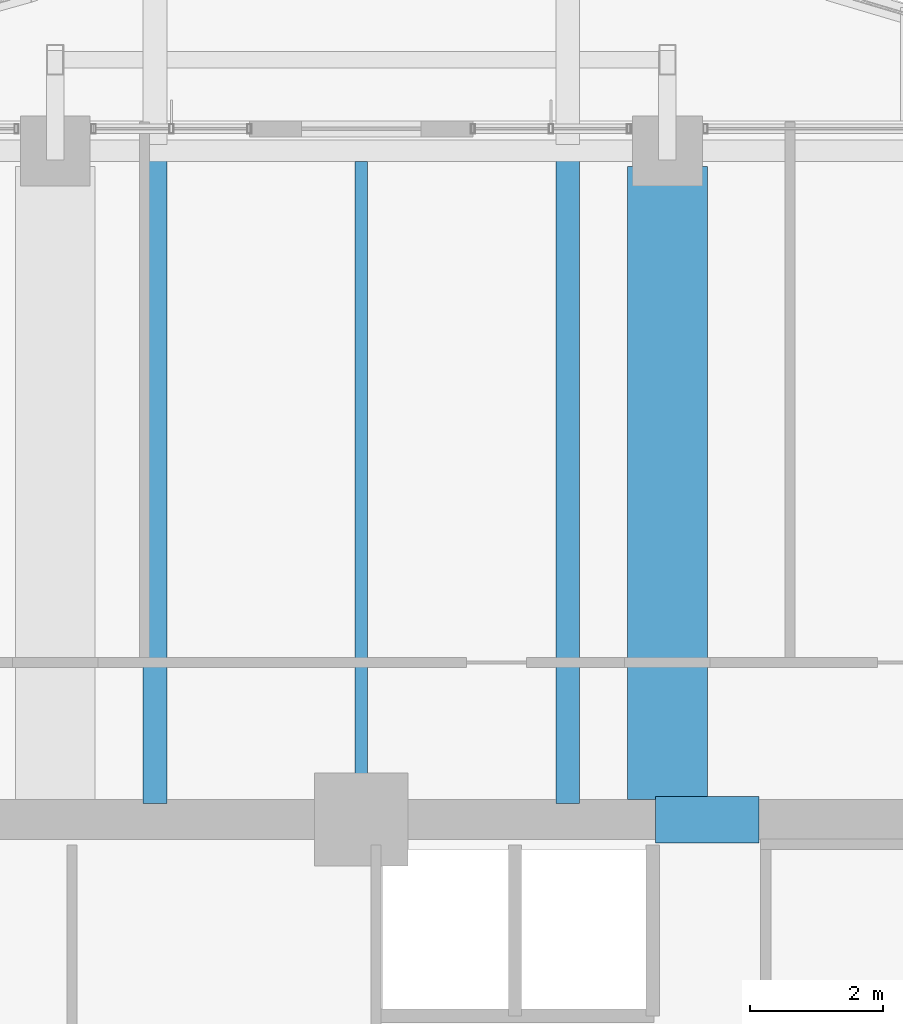
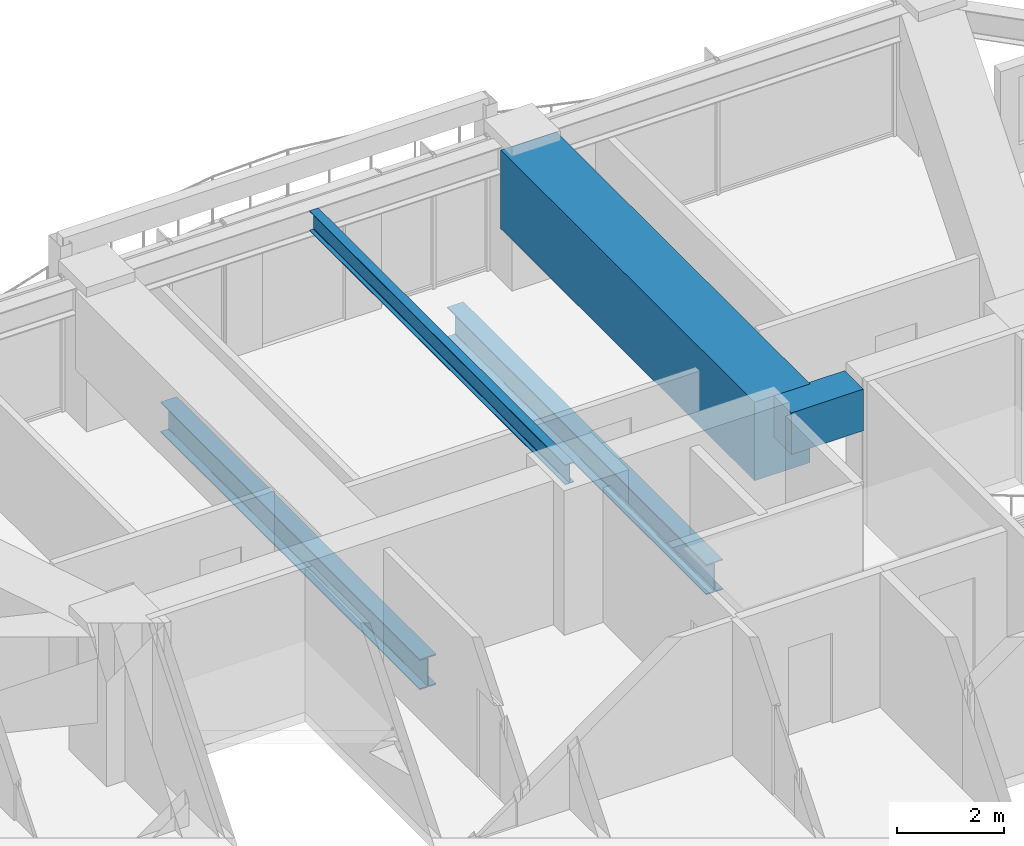
# One storey, part 22 of 39: 5 beams.
"""IFC4 building model written with IfcOpenShell, lengths in metres."""

from ifc_helpers import new_model, si_unit, direction, frame, origin, origin_2d, place, context, subcontext, project, spatial, rectangle, i_section, extrude, material, material_profile, profile_set, type_object, element, save


model = new_model("IFC4")

# Units and contexts
model_context = context("Model", 3, precision=1e-05, world=origin(), true_north=direction((0.0, 1.0)))
body_context = subcontext(model_context, "Body", "Model", "MODEL_VIEW")
ifc_project = project(units=[si_unit("LENGTHUNIT", "METRE"), si_unit("AREAUNIT", "SQUARE_METRE"), si_unit("VOLUMEUNIT", "CUBIC_METRE"), si_unit("PLANEANGLEUNIT", "RADIAN"), si_unit("MASSUNIT", "GRAM", prefix="KILO")], contexts=[model_context])

# Site, building, storey
site_placement = place(None, origin())
site = spatial("IfcSite", under=ifc_project, at=site_placement, CompositionType="ELEMENT")
building_placement = place(site_placement, origin())
building = spatial("IfcBuilding", under=site, at=building_placement, Name="Kolvaren Belvedere", CompositionType="ELEMENT")
storey_placement = place(building_placement, frame((0.0, 0.0, 85.39990234375)))
storey = spatial("IfcBuildingStorey", under=building, at=storey_placement, Name="L24", CompositionType="ELEMENT", Elevation=85.39990234375)

# Beams
ifc_material_1 = material(Name="Structural steel ASTM A992 Grade 50", Category="steel")
ifc_material_profile_1 = material_profile(ifc_material_1, i_section(OverallWidth=0.35498046875, OverallDepth=0.696044921875, WebThickness=0.015380859375, FlangeThickness=0.02490234375, FilletRadius=0.02197265625, at=origin_2d()), Name="W27X146")
ifc_profile_set_1 = profile_set([ifc_material_profile_1], Name="Structural steel ASTM A992 Grade 50")
beam_type_1 = type_object("IfcBeamType", Name="BM-GIRD-W27X146", PredefinedType="BEAM", material=ifc_profile_set_1)
for number, where, z_axis, x_axis, name in (
    (1, (-3.10009765625, 10.139892578125, -0.56787109375), (0.0, 1.0, 0.0), (-1.0, 0.0, 0.0), "L24 Balcony Interior Back-Span Girder BAL-N-1"),
    (2, (3.10009765625, 10.139892578125, -0.56787109375), (0.0, 1.0, 0.0), (-1.0, 0.0, 0.0), "L24 Balcony Interior Back-Span Girder BAL-N-2"),
):
    element("IfcBeam", number, at=place(storey_placement, frame(where, z_axis=z_axis, x_axis=x_axis)), inside=storey, type_object=beam_type_1, Name=name, PredefinedType="BEAM", context=body_context, shape_type="SweptSolid", body=[
        extrude(i_section(OverallWidth=0.35498046875, OverallDepth=0.696044921875, WebThickness=0.015380859375, FlangeThickness=0.02490234375, FilletRadius=0.02197265625, at=origin_2d()), origin(), (0.0, 0.0, 1.0), 9.715087890625),
    ])
ifc_material_2 = material(Name="Structural steel ASTM A992 Grade 50", Category="steel")
ifc_material_profile_2 = material_profile(ifc_material_2, i_section(OverallWidth=0.19091796875, OverallDepth=0.4599609375, WebThickness=0.010009765625, FlangeThickness=0.01611328125, FilletRadius=0.014892578125, at=origin_2d()), Name="W18X55")
ifc_profile_set_2 = profile_set([ifc_material_profile_2], Name="Structural steel ASTM A992 Grade 50")
beam_type_2 = type_object("IfcBeamType", Name="BM-JOIST-W18X55", PredefinedType="BEAM", material=ifc_profile_set_2)
beam_1_placement = place(storey_placement, frame((0.0, 10.199951171875, 2.85009765625), z_axis=(0.0, 1.0, 0.0), x_axis=(-1.0, 0.0, 0.0)))
element("IfcBeam", 3, at=beam_1_placement, inside=storey, type_object=beam_type_2, Name="L24 North Centre Floor Beam", PredefinedType="BEAM", context=body_context, shape_type="SweptSolid", body=[
    extrude(i_section(OverallWidth=0.19091796875, OverallDepth=0.4599609375, WebThickness=0.010009765625, FlangeThickness=0.01611328125, FilletRadius=0.014892578125, at=origin_2d()), origin(), (0.0, 0.0, 1.0), 9.587646484375),
])
ifc_material_3 = material(Name="Concrete C60/75", Category="concrete")
ifc_material_profile_3 = material_profile(ifc_material_3, rectangle(XDim=0.699951171875, YDim=0.949951171875, at=origin_2d()), Name="RC 700X950")
ifc_profile_set_3 = profile_set([ifc_material_profile_3], Name="Concrete C60/75")
beam_type_3 = type_object("IfcBeamType", Name="BM-LINT-950", PredefinedType="LINTEL", material=ifc_profile_set_3)
beam_2_placement = place(storey_placement, frame((4.419921875, 9.89990234375, 2.60498046875), z_axis=(1.0, 0.0, 0.0), x_axis=(0.0, 1.0, 0.0)))
element("IfcBeam", 4, at=beam_2_placement, inside=storey, type_object=beam_type_3, Name="L24 North Core Coupling Lintel", PredefinedType="LINTEL", context=body_context, shape_type="SweptSolid", body=[
    extrude(rectangle(XDim=0.699951171875, YDim=0.949951171875, at=origin_2d()), origin(), (0.0, 0.0, 1.0), 1.56005859375),
])
ifc_material_4 = material(Name="Concrete C50/60", Category="concrete")
ifc_material_profile_4 = material_profile(ifc_material_4, rectangle(XDim=1.199951171875, YDim=1.800048828125, at=origin_2d()), Name="RC 1200X1800")
ifc_profile_set_4 = profile_set([ifc_material_profile_4], Name="Concrete C50/60")
beam_type_4 = type_object("IfcBeamType", Name="BM-TG-1800", PredefinedType="BEAM", material=ifc_profile_set_4)
beam_3_placement = place(storey_placement, frame((4.60009765625, 10.199951171875, 2.18017578125), z_axis=(0.0, 1.0, 0.0), x_axis=(-1.0, 0.0, 0.0)))
element("IfcBeam", 5, at=beam_3_placement, inside=storey, type_object=beam_type_4, Name="L24 North Radial Girder P", PredefinedType="BEAM", context=body_context, shape_type="SweptSolid", body=[
    extrude(rectangle(XDim=1.199951171875, YDim=1.800048828125, at=origin_2d()), origin(), (0.0, 0.0, 1.0), 9.513916015625),
])

save(model, "model.ifc")
